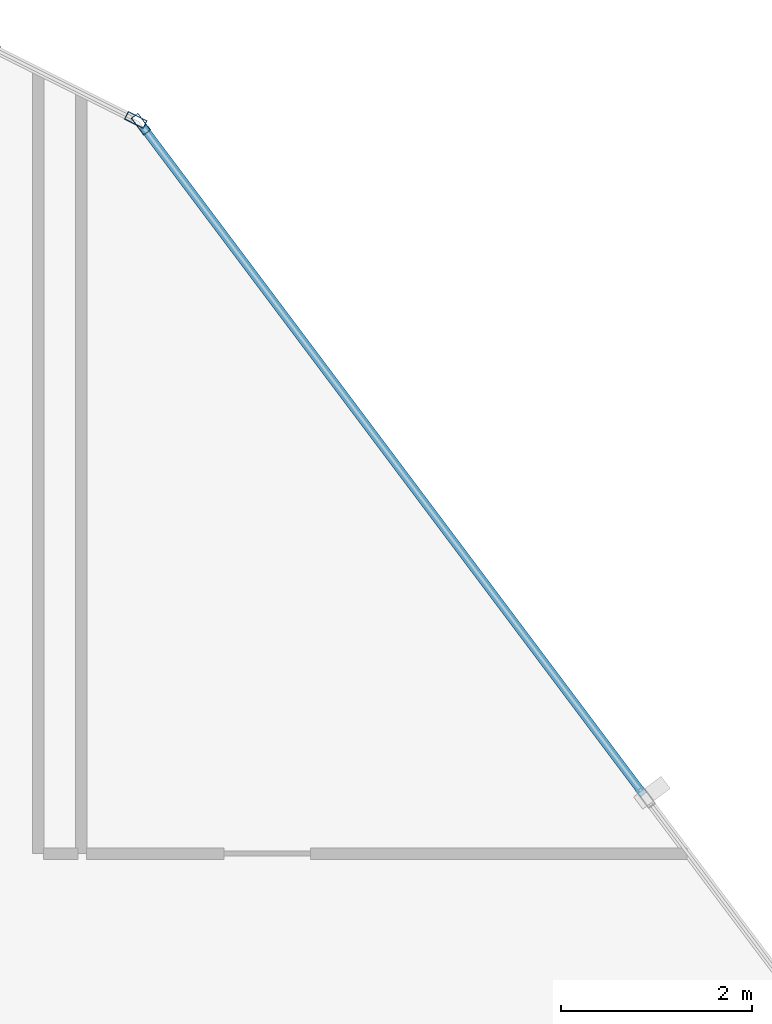
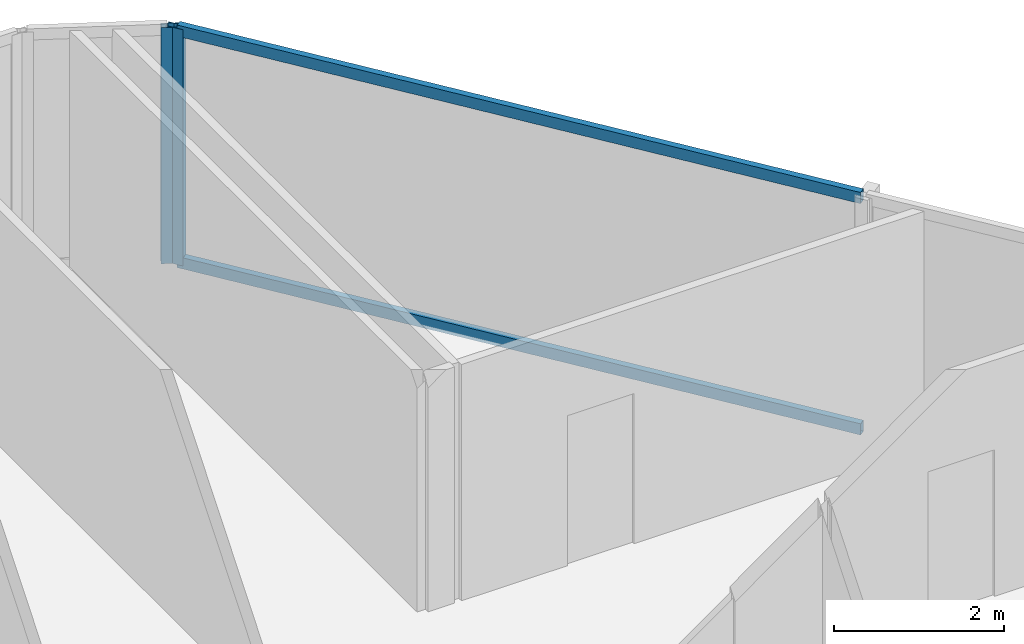
# One storey, part 17 of 35: 4 members, 2 elements without a shape of their own.
"""IFC4 building model written with IfcOpenShell, lengths in metres."""

from ifc_helpers import new_model, si_unit, direction, frame, origin, origin_2d, place, context, subcontext, project, spatial, hollow_rectangle, extrude, material, layer, layer_set, material_profile, profile_set, type_object, element, aggregate, save


model = new_model("IFC4")

# Units and contexts
model_context = context("Model", 3, precision=1e-05, world=origin(), true_north=direction((0.0, 1.0)))
body_context = subcontext(model_context, "Body", "Model", "MODEL_VIEW")
ifc_project = project(units=[si_unit("LENGTHUNIT", "METRE"), si_unit("AREAUNIT", "SQUARE_METRE"), si_unit("VOLUMEUNIT", "CUBIC_METRE"), si_unit("PLANEANGLEUNIT", "RADIAN"), si_unit("MASSUNIT", "GRAM", prefix="KILO")], contexts=[model_context])

# Site, building, storey
site_placement = place(None, origin())
site = spatial("IfcSite", under=ifc_project, at=site_placement, CompositionType="ELEMENT")
building_placement = place(site_placement, origin())
building = spatial("IfcBuilding", under=site, at=building_placement, Name="Keshet Zoharim Tower", CompositionType="ELEMENT")
storey_placement = place(building_placement, frame((0.0, 0.0, 24.0)))
storey = spatial("IfcBuildingStorey", under=building, at=storey_placement, Name="L04", CompositionType="ELEMENT", Elevation=24.0)

# Curtain wall, member
ifc_material = material(Name="Aluminium 6063-T6", Category="aluminium")
ifc_layer = layer(ifc_material, 0.169921875)
ifc_layer_set = layer_set([ifc_layer], Name="Aluminium 6063-T6")
curtain_wall_type = type_object("IfcCurtainWallType", Name="CW-SYS-02", PredefinedType="NOTDEFINED", material=ifc_layer_set)
curtain_wall_1_placement = place(storey_placement, origin())
curtain_wall_1 = element("IfcCurtainWall", 1, at=curtain_wall_1_placement, inside=storey, type_object=curtain_wall_type, Name="L04 Unitised Curtain Wall 08", PredefinedType="NOTDEFINED")
ifc_material_profile_1 = material_profile(ifc_material, hollow_rectangle(XDim=0.090087890625, YDim=0.219970703125, WallThickness=0.0048828125, at=origin_2d()), Name="MUL-90x220")
ifc_profile_set_1 = profile_set([ifc_material_profile_1], Name="Aluminium 6063-T6")
member_type_1 = type_object("IfcMemberType", Name="CWM-M22", PredefinedType="MULLION", material=ifc_profile_set_1)
member_1_placement = place(storey_placement, frame((51.568603515625, 53.11572265625, 0.0), z_axis=(0.0, 0.0, 1.0), x_axis=(0.447213595499, 0.894427191001, 0.0)))
member_1 = element("IfcMember", 2, at=member_1_placement, type_object=member_type_1, Name="CW-02 mullion 2", PredefinedType="MULLION", context=body_context, shape_type="SweptSolid", body=[
    extrude(hollow_rectangle(XDim=0.090087890625, YDim=0.219970703125, WallThickness=0.0048828125, at=origin_2d()), origin(), (0.0, 0.0, 1.0), 3.385009765625),
])
aggregate(curtain_wall_1, [member_1])

# Curtain wall, members
curtain_wall_2_placement = place(storey_placement, origin())
curtain_wall_2 = element("IfcCurtainWall", 3, at=curtain_wall_2_placement, inside=storey, type_object=curtain_wall_type, Name="L04 Unitised Curtain Wall 09", PredefinedType="NOTDEFINED")
member_2_placement = place(storey_placement, frame((51.62109375, 53.072021484375, 0.0), z_axis=(0.0, 0.0, 1.0), x_axis=(0.799999999998, 0.600000000002, 0.0)))
member_2 = element("IfcMember", 4, at=member_2_placement, type_object=member_type_1, Name="CW-02 mullion 1", PredefinedType="MULLION", context=body_context, shape_type="SweptSolid", body=[
    extrude(hollow_rectangle(XDim=0.090087890625, YDim=0.219970703125, WallThickness=0.0048828125, at=origin_2d()), origin(), (0.0, 0.0, 1.0), 3.385009765625),
])
ifc_material_profile_2 = material_profile(ifc_material, hollow_rectangle(XDim=0.0849609375, YDim=0.159912109375, WallThickness=0.00439453125, at=origin_2d()), Name="TRN-85x160")
ifc_profile_set_2 = profile_set([ifc_material_profile_2], Name="Aluminium 6063-T6")
member_type_2 = type_object("IfcMemberType", Name="CWT-T16", PredefinedType="USERDEFINED", material=ifc_profile_set_2)
member_3_placement = place(storey_placement, frame((51.64208984375, 53.0439453125, 0.034912109375), z_axis=(0.599991043201, -0.800006717521, 0.0), x_axis=(0.800006717521, 0.599991043201, 0.0)))
member_3 = element("IfcMember", 5, at=member_3_placement, type_object=member_type_2, Name="CW-02 transom 1.1", ObjectType="TRANSOM", PredefinedType="USERDEFINED", context=body_context, shape_type="SweptSolid", body=[
    extrude(hollow_rectangle(XDim=0.0849609375, YDim=0.159912109375, WallThickness=0.00439453125, at=origin_2d()), origin(), (0.0, 0.0, 1.0), 8.722412109375),
])
member_4_placement = place(storey_placement, frame((51.64208984375, 53.0439453125, 3.35009765625), z_axis=(0.599991043201, -0.800006717521, 0.0), x_axis=(0.800006717521, 0.599991043201, 0.0)))
member_4 = element("IfcMember", 6, at=member_4_placement, type_object=member_type_2, Name="CW-02 transom 1.2", ObjectType="TRANSOM", PredefinedType="USERDEFINED", context=body_context, shape_type="SweptSolid", body=[
    extrude(hollow_rectangle(XDim=0.0849609375, YDim=0.159912109375, WallThickness=0.00439453125, at=origin_2d()), origin(), (0.0, 0.0, 1.0), 8.722412109375),
])
aggregate(curtain_wall_2, [member_2, member_3, member_4])

save(model, "model.ifc")
